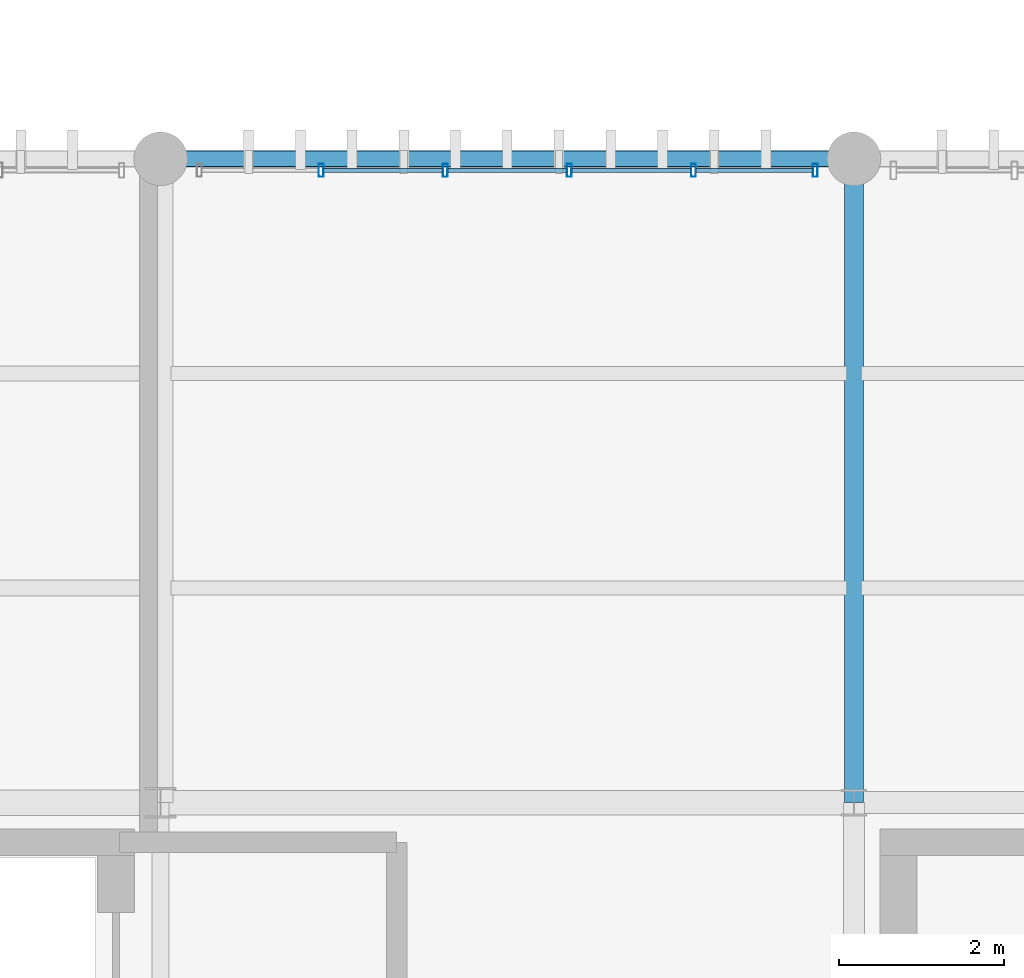
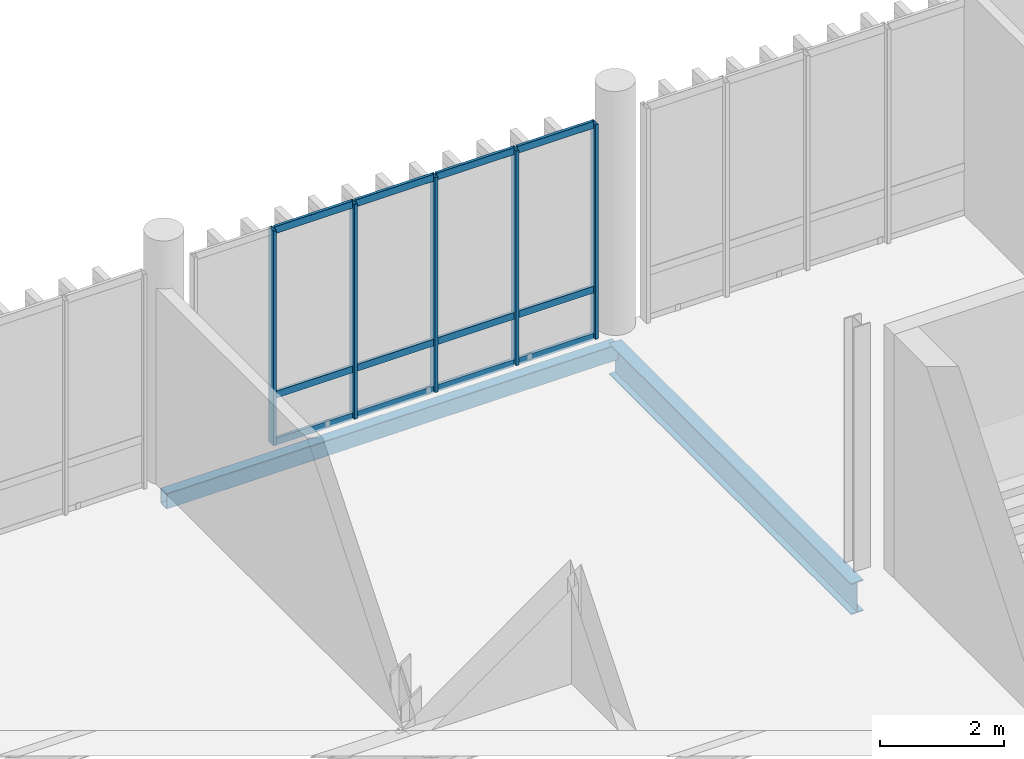
# One storey, part 18 of 86: 17 members, 2 beams, 1 element without a shape of its own.
"""IFC4 building model written with IfcOpenShell, lengths in metres."""

import ifcopenshell
import ifcopenshell.guid

model = None  # the IFC model being written
_history = None  # IfcOwnerHistory: only IFC2X3 demands one
_inside = {}  # id of a spatial element -> (the spatial element, [elements in it])
_under = {}  # id of a project, library or spatial element -> (it, [spatial elements below it])
_declared = {}  # id of a project -> (the project, [libraries it declares])
_typed = {}  # id of a type object -> (the type object, [elements of that type])
_made_of = {}  # id of a material, layer set ... -> (it, [elements and type objects made of it])


def new_model(schema):
    """Start an empty IFC model of exactly this schema.

    Asked for "IFC4X3", IfcOpenShell would pick the latest addendum, in which some entities
    have other attributes; the version numbers below select the first issue.
    IFC2X3 requires an IfcOwnerHistory on every rooted entity: one is made here for all.
    """
    global model, _history
    if schema == "IFC4X3":
        model = ifcopenshell.file(schema_version=(4, 3, 0, 0))
    else:
        model = ifcopenshell.file(schema=schema)
    _inside.clear()
    _under.clear()
    _declared.clear()
    _typed.clear()
    _made_of.clear()
    _history = None
    if model.schema == "IFC2X3":
        org = make("IfcOrganization", Name="unknown")
        user = make(
            "IfcPersonAndOrganization",
            ThePerson=make("IfcPerson", FamilyName="unknown"),
            TheOrganization=org,
        )
        app = make(
            "IfcApplication",
            ApplicationDeveloper=org,
            Version="unknown",
            ApplicationFullName="unknown",
            ApplicationIdentifier="unknown",
        )
        _history = make(
            "IfcOwnerHistory",
            OwningUser=user,
            OwningApplication=app,
            ChangeAction="ADDED",
            CreationDate=0,
        )
    return model


def make(cls, **values):
    """One entity of the class cls with the attributes given. An attribute that is None is left unset."""
    return model.create_entity(
        cls, **{name: value for name, value in values.items() if value is not None}
    )


def rooted(cls, **values):
    """An entity with a GlobalId (a new one), such as an element, a storey or a relation."""
    return make(cls, GlobalId=ifcopenshell.guid.new(), OwnerHistory=_history, **values)


def si_unit(unit_type, name, prefix=None):
    """IfcSIUnit, for example si_unit("LENGTHUNIT", "METRE", prefix="MILLI")."""
    return make("IfcSIUnit", UnitType=unit_type, Prefix=prefix, Name=name)


def assignment(units):
    """IfcUnitAssignment: the units of a project."""
    return None if units is None else make("IfcUnitAssignment", Units=units)


def point(xyz):
    """IfcCartesianPoint."""
    return None if xyz is None else make("IfcCartesianPoint", Coordinates=xyz)


def direction(xyz):
    """IfcDirection."""
    return None if xyz is None else make("IfcDirection", DirectionRatios=xyz)


def frame(location, z_axis=None, x_axis=None):
    """IfcAxis2Placement3D, a coordinate frame: its origin and axes. An axis left out is left unset."""
    return make(
        "IfcAxis2Placement3D",
        Location=point(location),
        Axis=direction(z_axis),
        RefDirection=direction(x_axis),
    )


def frame_2d(location, x_axis=None):
    """IfcAxis2Placement2D, a coordinate frame in the plane: its origin and x axis."""
    return make(
        "IfcAxis2Placement2D", Location=point(location), RefDirection=direction(x_axis)
    )


def origin_with_axes():
    """The frame at (0, 0, 0) with the z axis (0, 0, 1) and the x axis (1, 0, 0) written out."""
    return frame((0.0, 0.0, 0.0), z_axis=(0.0, 0.0, 1.0), x_axis=(1.0, 0.0, 0.0))


def origin_2d_with_axis():
    """The frame at (0, 0) in the plane with the x axis (1, 0) written out."""
    return frame_2d((0.0, 0.0), x_axis=(1.0, 0.0))


def place(relative_to, where):
    """IfcLocalPlacement: puts the frame where relative to a parent placement (None: the world)."""
    return make(
        "IfcLocalPlacement", PlacementRelTo=relative_to, RelativePlacement=where
    )


def context(
    kind, dimensions, precision=None, world=None, true_north=None, identifier=None
):
    """IfcGeometricRepresentationContext, for example the 3D "Model" context."""
    return make(
        "IfcGeometricRepresentationContext",
        ContextIdentifier=identifier,
        ContextType=kind,
        CoordinateSpaceDimension=dimensions,
        Precision=precision,
        WorldCoordinateSystem=world,
        TrueNorth=true_north,
    )


def subcontext(parent, identifier, kind, view, scale=None):
    """IfcGeometricRepresentationSubContext, for example "Body" below "Model"."""
    return make(
        "IfcGeometricRepresentationSubContext",
        ContextIdentifier=identifier,
        ContextType=kind,
        ParentContext=parent,
        TargetScale=scale,
        TargetView=view,
    )


def project(units=None, contexts=None):
    """IfcProject with its units and contexts."""
    return rooted(
        "IfcProject",
        Name="project",
        RepresentationContexts=contexts,
        UnitsInContext=assignment(units),
    )


def spatial(cls, under=None, at=None, **own):
    """A site, building, storey or space (cls), placed at a placement, below another one or the project."""
    s = rooted(cls, ObjectPlacement=at, **own)
    if under is not None:
        _under.setdefault(under.id(), (under, []))[1].append(s)
    return s


def profile(cls, at=None, kind="AREA", **sizes):
    """A parametric profile (cls). Its sizes go by their IFC names, for example OverallWidth=200.0."""
    return make(cls, ProfileType=kind, Position=at, **sizes)


def hollow_rectangle(**sizes):
    """IfcRectangleHollowProfileDef."""
    return profile("IfcRectangleHollowProfileDef", **sizes)


def i_section(**sizes):
    """IfcIShapeProfileDef."""
    return profile("IfcIShapeProfileDef", **sizes)


def extrude(swept, where, along, depth):
    """IfcExtrudedAreaSolid: the profile swept, set in the frame where, extruded along a direction by depth."""
    return make(
        "IfcExtrudedAreaSolid",
        SweptArea=swept,
        Position=where,
        ExtrudedDirection=direction(along),
        Depth=depth,
    )


def shape(context_of_items, identifier, shape_type, items):
    """IfcShapeRepresentation: the items that make up one representation, for example the "Body"."""
    return make(
        "IfcShapeRepresentation",
        ContextOfItems=context_of_items,
        RepresentationIdentifier=identifier,
        RepresentationType=shape_type,
        Items=items,
    )


def material(Name=None, Category=None):
    """IfcMaterial."""
    return make("IfcMaterial", Name=Name, Category=Category)


def material_profile(
    of_material, cross_section, Name=None, Category=None, Priority=None
):
    """IfcMaterialProfile: a cross section and its material."""
    return make(
        "IfcMaterialProfile",
        Name=Name,
        Material=of_material,
        Profile=cross_section,
        Priority=Priority,
        Category=Category,
    )


def profile_set(profiles, Name=None, composite=None):
    """IfcMaterialProfileSet."""
    return make(
        "IfcMaterialProfileSet",
        Name=Name,
        MaterialProfiles=profiles,
        CompositeProfile=composite,
    )


def made_of(thing, what):
    """Note that an element or type object is made of a material, layer set ...; save() writes the relation."""
    if what is not None:
        _made_of.setdefault(what.id(), (what, []))[1].append(thing)
    return thing


def type_object(cls, material=None, **own):
    """A type object (cls), such as IfcWallType, which elements share."""
    return made_of(rooted(cls, **own), material)


def element(
    cls,
    number,
    at=None,
    inside=None,
    cuts=None,
    type_object=None,
    material=None,
    context=None,
    identifier="Body",
    shape_type=None,
    held_by="IfcProductDefinitionShape",
    body=None,
    shapes=None,
    **own,
):
    """One element of the class cls, such as IfcWall. Its Tag is "e" and its number.

    at: its placement. inside: the storey or other place that contains it. cuts: it is an
    opening in that element (IfcRelVoidsElement). A single representation is given by context,
    identifier, shape_type and body (its items); several are given by shapes. held_by: the class
    of the entity that holds the representations. save() writes the other relations.
    """
    e = rooted(cls, Tag="e%d" % number, ObjectPlacement=at, **own)
    if body is not None:
        shapes = [shape(context, identifier, shape_type, body)]
    if shapes is not None:
        e.Representation = make(held_by, Representations=shapes)
    if inside is not None:
        _inside.setdefault(inside.id(), (inside, []))[1].append(e)
    if cuts is not None:
        rooted(
            "IfcRelVoidsElement", RelatingBuildingElement=cuts, RelatedOpeningElement=e
        )
    if type_object is not None:
        _typed.setdefault(type_object.id(), (type_object, []))[1].append(e)
    return made_of(e, material)


def aggregate(whole, parts):
    """IfcRelAggregates: a whole, such as a stair, and the parts it consists of."""
    return rooted("IfcRelAggregates", RelatingObject=whole, RelatedObjects=parts)


def save(model, path):
    """Write the relations noted so far, then the file.

    IfcRelAggregates (storeys below a building ...), IfcRelContainedInSpatialStructure (elements
    in a storey), IfcRelDefinesByType, IfcRelAssociatesMaterial and IfcRelDeclares: one each for
    every whole, place, type object, material and project.
    """
    for whole, parts in _under.values():
        aggregate(whole, parts)
    for where, things in _inside.values():
        rooted(
            "IfcRelContainedInSpatialStructure",
            RelatedElements=things,
            RelatingStructure=where,
        )
    for kind, things in _typed.values():
        rooted("IfcRelDefinesByType", RelatedObjects=things, RelatingType=kind)
    for what, things in _made_of.values():
        rooted("IfcRelAssociatesMaterial", RelatedObjects=things, RelatingMaterial=what)
    for by, libraries in _declared.values():
        rooted("IfcRelDeclares", RelatingContext=by, RelatedDefinitions=libraries)
    model.write(path)


model = new_model("IFC4")

# Units and contexts
model_context = context("Model", 3, precision=1e-05, world=origin_with_axes(), true_north=direction((0.0, 1.0)))
body_context = subcontext(model_context, "Body", "Model", "MODEL_VIEW")
ifc_project = project(units=[si_unit("LENGTHUNIT", "METRE"), si_unit("AREAUNIT", "SQUARE_METRE"), si_unit("VOLUMEUNIT", "CUBIC_METRE"), si_unit("PLANEANGLEUNIT", "RADIAN"), si_unit("MASSUNIT", "GRAM", prefix="KILO"), si_unit("THERMODYNAMICTEMPERATUREUNIT", "KELVIN")], contexts=[model_context])

# Site, building, storey
site_placement = place(None, origin_with_axes())
site = spatial("IfcSite", under=ifc_project, at=site_placement, CompositionType="ELEMENT")
building_placement = place(site_placement, origin_with_axes())
building = spatial("IfcBuilding", under=site, at=building_placement, Name="Montbau Bow Law Courts", CompositionType="ELEMENT")
storey_placement = place(building_placement, frame((0.0, 0.0, 29.7), z_axis=(0.0, 0.0, 1.0), x_axis=(1.0, 0.0, 0.0)))
storey = spatial("IfcBuildingStorey", under=building, at=storey_placement, Name="L06", CompositionType="ELEMENT", Elevation=29.7)

# Beams
ifc_material_1 = material(Name="Steel CSA G40.21 Grade 350W (350 MPa)", Category="steel")
ifc_material_profile_1 = material_profile(ifc_material_1, i_section(OverallWidth=0.229, OverallDepth=0.612, WebThickness=0.0119, FlangeThickness=0.0196, at=origin_2d_with_axis()), Name="W610X125", Category="Main", Priority=0)
ifc_profile_set_1 = profile_set([ifc_material_profile_1], Name="Steel CSA G40.21 Grade 350W (350 MPa)")
beam_type_1 = type_object("IfcBeamType", Name="B-FLR-05", PredefinedType="BEAM", material=ifc_profile_set_1)
beam_1_placement = place(None, frame((30.6, 54.6, 29.054), z_axis=(0.0, 1.0, 0.0), x_axis=(-1.0, 0.0, 0.0)))
element("IfcBeam", 1, at=beam_1_placement, inside=storey, type_object=beam_type_1, Name="BM-L06-S0704:bm2_0707", PredefinedType="BEAM", context=body_context, shape_type="SweptSolid", body=[
    extrude(i_section(OverallWidth=0.229, OverallDepth=0.612, WebThickness=0.0119, FlangeThickness=0.0196, at=origin_2d_with_axis()), origin_with_axes(), (0.0, 0.0, 1.0), 7.8),
])
ifc_material_2 = material(Name="Steel CSA G40.21 Grade 350WT (350 MPa)", Category="steel")
ifc_material_profile_2 = material_profile(ifc_material_2, hollow_rectangle(XDim=0.203, YDim=0.305, WallThickness=0.0127, InnerFilletRadius=0.0254, OuterFilletRadius=0.0127, at=origin_2d_with_axis()), Name="HSS305X203X13", Category="Main", Priority=0)
ifc_profile_set_2 = profile_set([ifc_material_profile_2], Name="Steel CSA G40.21 Grade 350WT (350 MPa)")
beam_type_2 = type_object("IfcBeamType", Name="B-SPN-02", PredefinedType="SPANDREL", material=ifc_profile_set_2)
beam_2_placement = place(None, frame((22.2, 62.4, 29.207), z_axis=(1.0, 0.0, 0.0), x_axis=(0.0, 1.0, 0.0)))
element("IfcBeam", 2, at=beam_2_placement, inside=storey, type_object=beam_type_2, Name="SPN-L06-S0688:bm2_0691", PredefinedType="SPANDREL", context=body_context, shape_type="SweptSolid", body=[
    extrude(hollow_rectangle(XDim=0.203, YDim=0.305, WallThickness=0.0127, InnerFilletRadius=0.0254, OuterFilletRadius=0.0127, at=origin_2d_with_axis()), origin_with_axes(), (0.0, 0.0, 1.0), 8.4),
])

# Curtain wall, members
ifc_material_3 = material(Name="Thermally Broken Extruded Aluminium AA 6063-T6", Category="aluminium")
curtain_wall_type = type_object("IfcCurtainWallType", Name="CW-TRC-02", PredefinedType="NOTDEFINED", material=ifc_material_3)
curtain_wall_placement = place(None, frame((22.64, 62.26, 29.7), z_axis=(0.0, 0.0, 1.0), x_axis=(1.0, 0.0, 0.0)))
curtain_wall = element("IfcCurtainWall", 3, at=curtain_wall_placement, inside=storey, type_object=curtain_wall_type, Name="CW-L06-101:cw_0101", PredefinedType="NOTDEFINED")
ifc_material_profile_3 = material_profile(ifc_material_3, hollow_rectangle(XDim=0.06, YDim=0.16, WallThickness=0.004, InnerFilletRadius=0.008, OuterFilletRadius=0.004, at=origin_2d_with_axis()), Name="CWM-160X60", Category="Main", Priority=0)
ifc_profile_set_3 = profile_set([ifc_material_profile_3], Name="Thermally Broken Extruded Aluminium AA 6063-T6")
member_type_1 = type_object("IfcMemberType", Name="M-MUL-03", PredefinedType="MULLION", material=ifc_profile_set_3)
member_1_placement = place(None, frame((24.144, 62.26, 29.7), z_axis=(0.0, 0.0, 1.0), x_axis=(1.0, 0.0, 0.0)))
member_1 = element("IfcMember", 4, at=member_1_placement, type_object=member_type_1, Name="CW-L06-101-M02:cw_0101_M02", PredefinedType="MULLION", context=body_context, shape_type="SweptSolid", body=[
    extrude(hollow_rectangle(XDim=0.06, YDim=0.16, WallThickness=0.004, InnerFilletRadius=0.008, OuterFilletRadius=0.004, at=origin_2d_with_axis()), origin_with_axes(), (0.0, 0.0, 1.0), 4.22),
])
member_2_placement = place(None, frame((25.648, 62.26, 29.7), z_axis=(0.0, 0.0, 1.0), x_axis=(1.0, 0.0, 0.0)))
member_2 = element("IfcMember", 5, at=member_2_placement, type_object=member_type_1, Name="CW-L06-101-M03:cw_0101_M03", PredefinedType="MULLION", context=body_context, shape_type="SweptSolid", body=[
    extrude(hollow_rectangle(XDim=0.06, YDim=0.16, WallThickness=0.004, InnerFilletRadius=0.008, OuterFilletRadius=0.004, at=origin_2d_with_axis()), origin_with_axes(), (0.0, 0.0, 1.0), 4.22),
])
member_3_placement = place(None, frame((27.152, 62.26, 29.7), z_axis=(0.0, 0.0, 1.0), x_axis=(1.0, 0.0, 0.0)))
member_3 = element("IfcMember", 6, at=member_3_placement, type_object=member_type_1, Name="CW-L06-101-M04:cw_0101_M04", PredefinedType="MULLION", context=body_context, shape_type="SweptSolid", body=[
    extrude(hollow_rectangle(XDim=0.06, YDim=0.16, WallThickness=0.004, InnerFilletRadius=0.008, OuterFilletRadius=0.004, at=origin_2d_with_axis()), origin_with_axes(), (0.0, 0.0, 1.0), 4.22),
])
member_4_placement = place(None, frame((28.656, 62.26, 29.7), z_axis=(0.0, 0.0, 1.0), x_axis=(1.0, 0.0, 0.0)))
member_4 = element("IfcMember", 7, at=member_4_placement, type_object=member_type_1, Name="CW-L06-101-M05:cw_0101_M05", PredefinedType="MULLION", context=body_context, shape_type="SweptSolid", body=[
    extrude(hollow_rectangle(XDim=0.06, YDim=0.16, WallThickness=0.004, InnerFilletRadius=0.008, OuterFilletRadius=0.004, at=origin_2d_with_axis()), origin_with_axes(), (0.0, 0.0, 1.0), 4.22),
])
member_5_placement = place(None, frame((30.13, 62.26, 29.7), z_axis=(0.0, 0.0, 1.0), x_axis=(1.0, 0.0, 0.0)))
member_5 = element("IfcMember", 8, at=member_5_placement, type_object=member_type_1, Name="CW-L06-101-M06:cw_0101_M06", PredefinedType="MULLION", context=body_context, shape_type="SweptSolid", body=[
    extrude(hollow_rectangle(XDim=0.06, YDim=0.16, WallThickness=0.004, InnerFilletRadius=0.008, OuterFilletRadius=0.004, at=origin_2d_with_axis()), origin_with_axes(), (0.0, 0.0, 1.0), 4.22),
])
ifc_material_profile_4 = material_profile(ifc_material_3, hollow_rectangle(XDim=0.055, YDim=0.14, WallThickness=0.004, InnerFilletRadius=0.008, OuterFilletRadius=0.004, at=origin_2d_with_axis()), Name="CWT-140X55", Category="Main", Priority=0)
ifc_profile_set_4 = profile_set([ifc_material_profile_4], Name="Thermally Broken Extruded Aluminium AA 6063-T6")
member_type_2 = type_object("IfcMemberType", Name="M-TRN-02", PredefinedType="USERDEFINED", material=ifc_profile_set_4)
member_6_placement = place(None, frame((24.176, 62.26, 29.727), z_axis=(1.0, 0.0, 0.0), x_axis=(0.0, 1.0, 0.0)))
member_6 = element("IfcMember", 9, at=member_6_placement, type_object=member_type_2, Name="CW-L06-101-T02-1:cw_0101_T02_1", ObjectType="TRANSOM", PredefinedType="USERDEFINED", context=body_context, shape_type="SweptSolid", body=[
    extrude(hollow_rectangle(XDim=0.055, YDim=0.14, WallThickness=0.004, InnerFilletRadius=0.008, OuterFilletRadius=0.004, at=origin_2d_with_axis()), origin_with_axes(), (0.0, 0.0, 1.0), 1.44),
])
member_7_placement = place(None, frame((24.176, 62.26, 30.65), z_axis=(1.0, 0.0, 0.0), x_axis=(0.0, 1.0, 0.0)))
member_7 = element("IfcMember", 10, at=member_7_placement, type_object=member_type_2, Name="CW-L06-101-T02-2:cw_0101_T02_2", ObjectType="TRANSOM", PredefinedType="USERDEFINED", context=body_context, shape_type="SweptSolid", body=[
    extrude(hollow_rectangle(XDim=0.055, YDim=0.14, WallThickness=0.004, InnerFilletRadius=0.008, OuterFilletRadius=0.004, at=origin_2d_with_axis()), origin_with_axes(), (0.0, 0.0, 1.0), 1.44),
])
member_8_placement = place(None, frame((24.176, 62.26, 33.892), z_axis=(1.0, 0.0, 0.0), x_axis=(0.0, 1.0, 0.0)))
member_8 = element("IfcMember", 11, at=member_8_placement, type_object=member_type_2, Name="CW-L06-101-T02-3:cw_0101_T02_3", ObjectType="TRANSOM", PredefinedType="USERDEFINED", context=body_context, shape_type="SweptSolid", body=[
    extrude(hollow_rectangle(XDim=0.055, YDim=0.14, WallThickness=0.004, InnerFilletRadius=0.008, OuterFilletRadius=0.004, at=origin_2d_with_axis()), origin_with_axes(), (0.0, 0.0, 1.0), 1.44),
])
member_9_placement = place(None, frame((25.68, 62.26, 29.727), z_axis=(1.0, 0.0, 0.0), x_axis=(0.0, 1.0, 0.0)))
member_9 = element("IfcMember", 12, at=member_9_placement, type_object=member_type_2, Name="CW-L06-101-T03-1:cw_0101_T03_1", ObjectType="TRANSOM", PredefinedType="USERDEFINED", context=body_context, shape_type="SweptSolid", body=[
    extrude(hollow_rectangle(XDim=0.055, YDim=0.14, WallThickness=0.004, InnerFilletRadius=0.008, OuterFilletRadius=0.004, at=origin_2d_with_axis()), origin_with_axes(), (0.0, 0.0, 1.0), 1.44),
])
member_10_placement = place(None, frame((25.68, 62.26, 30.65), z_axis=(1.0, 0.0, 0.0), x_axis=(0.0, 1.0, 0.0)))
member_10 = element("IfcMember", 13, at=member_10_placement, type_object=member_type_2, Name="CW-L06-101-T03-2:cw_0101_T03_2", ObjectType="TRANSOM", PredefinedType="USERDEFINED", context=body_context, shape_type="SweptSolid", body=[
    extrude(hollow_rectangle(XDim=0.055, YDim=0.14, WallThickness=0.004, InnerFilletRadius=0.008, OuterFilletRadius=0.004, at=origin_2d_with_axis()), origin_with_axes(), (0.0, 0.0, 1.0), 1.44),
])
member_11_placement = place(None, frame((25.68, 62.26, 33.892), z_axis=(1.0, 0.0, 0.0), x_axis=(0.0, 1.0, 0.0)))
member_11 = element("IfcMember", 14, at=member_11_placement, type_object=member_type_2, Name="CW-L06-101-T03-3:cw_0101_T03_3", ObjectType="TRANSOM", PredefinedType="USERDEFINED", context=body_context, shape_type="SweptSolid", body=[
    extrude(hollow_rectangle(XDim=0.055, YDim=0.14, WallThickness=0.004, InnerFilletRadius=0.008, OuterFilletRadius=0.004, at=origin_2d_with_axis()), origin_with_axes(), (0.0, 0.0, 1.0), 1.44),
])
member_12_placement = place(None, frame((27.184, 62.26, 29.727), z_axis=(1.0, 0.0, 0.0), x_axis=(0.0, 1.0, 0.0)))
member_12 = element("IfcMember", 15, at=member_12_placement, type_object=member_type_2, Name="CW-L06-101-T04-1:cw_0101_T04_1", ObjectType="TRANSOM", PredefinedType="USERDEFINED", context=body_context, shape_type="SweptSolid", body=[
    extrude(hollow_rectangle(XDim=0.055, YDim=0.14, WallThickness=0.004, InnerFilletRadius=0.008, OuterFilletRadius=0.004, at=origin_2d_with_axis()), origin_with_axes(), (0.0, 0.0, 1.0), 1.44),
])
member_13_placement = place(None, frame((27.184, 62.26, 30.65), z_axis=(1.0, 0.0, 0.0), x_axis=(0.0, 1.0, 0.0)))
member_13 = element("IfcMember", 16, at=member_13_placement, type_object=member_type_2, Name="CW-L06-101-T04-2:cw_0101_T04_2", ObjectType="TRANSOM", PredefinedType="USERDEFINED", context=body_context, shape_type="SweptSolid", body=[
    extrude(hollow_rectangle(XDim=0.055, YDim=0.14, WallThickness=0.004, InnerFilletRadius=0.008, OuterFilletRadius=0.004, at=origin_2d_with_axis()), origin_with_axes(), (0.0, 0.0, 1.0), 1.44),
])
member_14_placement = place(None, frame((27.184, 62.26, 33.892), z_axis=(1.0, 0.0, 0.0), x_axis=(0.0, 1.0, 0.0)))
member_14 = element("IfcMember", 17, at=member_14_placement, type_object=member_type_2, Name="CW-L06-101-T04-3:cw_0101_T04_3", ObjectType="TRANSOM", PredefinedType="USERDEFINED", context=body_context, shape_type="SweptSolid", body=[
    extrude(hollow_rectangle(XDim=0.055, YDim=0.14, WallThickness=0.004, InnerFilletRadius=0.008, OuterFilletRadius=0.004, at=origin_2d_with_axis()), origin_with_axes(), (0.0, 0.0, 1.0), 1.44),
])
member_15_placement = place(None, frame((28.688, 62.26, 29.727), z_axis=(1.0, 0.0, 0.0), x_axis=(0.0, 1.0, 0.0)))
member_15 = element("IfcMember", 18, at=member_15_placement, type_object=member_type_2, Name="CW-L06-101-T05-1:cw_0101_T05_1", ObjectType="TRANSOM", PredefinedType="USERDEFINED", context=body_context, shape_type="SweptSolid", body=[
    extrude(hollow_rectangle(XDim=0.055, YDim=0.14, WallThickness=0.004, InnerFilletRadius=0.008, OuterFilletRadius=0.004, at=origin_2d_with_axis()), origin_with_axes(), (0.0, 0.0, 1.0), 1.41),
])
member_16_placement = place(None, frame((28.688, 62.26, 30.65), z_axis=(1.0, 0.0, 0.0), x_axis=(0.0, 1.0, 0.0)))
member_16 = element("IfcMember", 19, at=member_16_placement, type_object=member_type_2, Name="CW-L06-101-T05-2:cw_0101_T05_2", ObjectType="TRANSOM", PredefinedType="USERDEFINED", context=body_context, shape_type="SweptSolid", body=[
    extrude(hollow_rectangle(XDim=0.055, YDim=0.14, WallThickness=0.004, InnerFilletRadius=0.008, OuterFilletRadius=0.004, at=origin_2d_with_axis()), origin_with_axes(), (0.0, 0.0, 1.0), 1.41),
])
member_17_placement = place(None, frame((28.688, 62.26, 33.892), z_axis=(1.0, 0.0, 0.0), x_axis=(0.0, 1.0, 0.0)))
member_17 = element("IfcMember", 20, at=member_17_placement, type_object=member_type_2, Name="CW-L06-101-T05-3:cw_0101_T05_3", ObjectType="TRANSOM", PredefinedType="USERDEFINED", context=body_context, shape_type="SweptSolid", body=[
    extrude(hollow_rectangle(XDim=0.055, YDim=0.14, WallThickness=0.004, InnerFilletRadius=0.008, OuterFilletRadius=0.004, at=origin_2d_with_axis()), origin_with_axes(), (0.0, 0.0, 1.0), 1.41),
])
aggregate(curtain_wall, [member_1, member_2, member_3, member_4, member_5, member_6, member_7, member_8, member_9, member_10, member_11, member_12, member_13, member_14, member_15, member_16, member_17])

save(model, "model.ifc")
